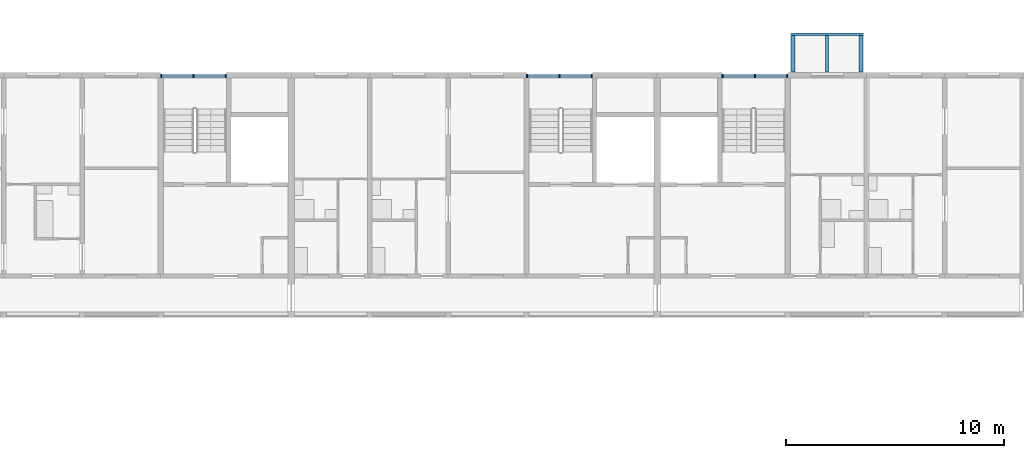
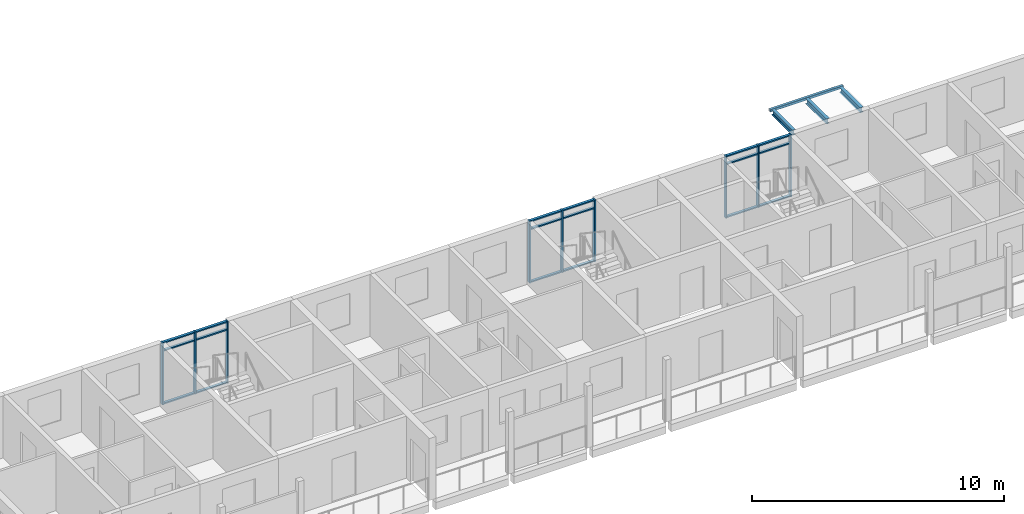
# One storey, part 21 of 98: 27 members, 4 beams, 3 elements without a shape of their own.
"""IFC4 building model written with IfcOpenShell, lengths in metres."""

from ifc_helpers import new_model, si_unit, direction, frame, origin, origin_2d, place, context, subcontext, project, spatial, rectangle, hollow_rectangle, i_section, extrude, material, material_profile, profile_set, type_object, element, aggregate, save


model = new_model("IFC4")

# Units and contexts
model_context = context("Model", 3, precision=1e-05, world=origin(), true_north=direction((0.0, 1.0)))
body_context = subcontext(model_context, "Body", "Model", "MODEL_VIEW")
ifc_project = project(units=[si_unit("LENGTHUNIT", "METRE"), si_unit("AREAUNIT", "SQUARE_METRE"), si_unit("VOLUMEUNIT", "CUBIC_METRE"), si_unit("PLANEANGLEUNIT", "RADIAN"), si_unit("MASSUNIT", "GRAM", prefix="KILO")], contexts=[model_context])

# Site, building, storey
site_placement = place(None, origin())
site = spatial("IfcSite", under=ifc_project, at=site_placement, CompositionType="ELEMENT")
building_placement = place(site_placement, origin())
building = spatial("IfcBuilding", under=site, at=building_placement, Name="Ridgestep Commons", CompositionType="ELEMENT")
storey_placement = place(building_placement, frame((0.0, 0.0, 12.0)))
storey = spatial("IfcBuildingStorey", under=building, at=storey_placement, Name="L04", CompositionType="ELEMENT", Elevation=12.0)

# Curtain wall, members
ifc_material_1 = material(Name="Aluminium 6063-T6 and glass", Category="aluminium")
curtain_wall_type = type_object("IfcCurtainWallType", Name="Curtain wall stair strip", PredefinedType="NOTDEFINED", material=ifc_material_1)
curtain_wall_1_placement = place(storey_placement, origin())
curtain_wall_1 = element("IfcCurtainWall", 1, at=curtain_wall_1_placement, inside=storey, type_object=curtain_wall_type, Name="Curtain wall C1C level 04", PredefinedType="NOTDEFINED")
ifc_material_2 = material(Name="Aluminium 6063-T6", Category="aluminium")
ifc_material_profile_1 = material_profile(ifc_material_2, rectangle(XDim=0.159912109375, YDim=0.06005859375, at=origin_2d()), Name="Mullion 60 x 160")
ifc_profile_set_1 = profile_set([ifc_material_profile_1], Name="Aluminium 6063-T6")
member_type_1 = type_object("IfcMemberType", Name="Mullion 60 x 160", PredefinedType="MULLION", material=ifc_profile_set_1)
member_1_placement = place(storey_placement, frame((157.6298828125, 77.080078125, 0.0), z_axis=(0.0, 0.0, 1.0), x_axis=(0.0, 1.0, 0.0)))
member_1 = element("IfcMember", 2, at=member_1_placement, type_object=member_type_1, Name="CW1 mullion 1", PredefinedType="MULLION", context=body_context, shape_type="SweptSolid", body=[
    extrude(rectangle(XDim=0.159912109375, YDim=0.06005859375, at=origin_2d()), origin(), (0.0, 0.0, 1.0), 3.0),
])
member_2_placement = place(storey_placement, frame((159.112548828125, 77.080078125, 0.0), z_axis=(0.0, 0.0, 1.0), x_axis=(0.0, 1.0, 0.0)))
member_2 = element("IfcMember", 3, at=member_2_placement, type_object=member_type_1, Name="CW1 mullion 2", PredefinedType="MULLION", context=body_context, shape_type="SweptSolid", body=[
    extrude(rectangle(XDim=0.159912109375, YDim=0.06005859375, at=origin_2d()), origin(), (0.0, 0.0, 1.0), 3.0),
])
member_3_placement = place(storey_placement, frame((160.594970703125, 77.080078125, 0.0), z_axis=(0.0, 0.0, 1.0), x_axis=(0.0, 1.0, 0.0)))
member_3 = element("IfcMember", 4, at=member_3_placement, type_object=member_type_1, Name="CW1 mullion 3", PredefinedType="MULLION", context=body_context, shape_type="SweptSolid", body=[
    extrude(rectangle(XDim=0.159912109375, YDim=0.06005859375, at=origin_2d()), origin(), (0.0, 0.0, 1.0), 3.0),
])

curtain_wall_2_placement = place(storey_placement, origin())
curtain_wall_2 = element("IfcCurtainWall", 5, at=curtain_wall_2_placement, inside=storey, type_object=curtain_wall_type, Name="Curtain wall C2C level 04", PredefinedType="NOTDEFINED")
member_4_placement = place(storey_placement, frame((174.429931640625, 77.080078125, 0.0), z_axis=(0.0, 0.0, 1.0), x_axis=(0.0, 1.0, 0.0)))
member_4 = element("IfcMember", 6, at=member_4_placement, type_object=member_type_1, Name="CW1 mullion 1", PredefinedType="MULLION", context=body_context, shape_type="SweptSolid", body=[
    extrude(rectangle(XDim=0.159912109375, YDim=0.06005859375, at=origin_2d()), origin(), (0.0, 0.0, 1.0), 3.0),
])
member_5_placement = place(storey_placement, frame((175.91259765625, 77.080078125, 0.0), z_axis=(0.0, 0.0, 1.0), x_axis=(0.0, 1.0, 0.0)))
member_5 = element("IfcMember", 7, at=member_5_placement, type_object=member_type_1, Name="CW1 mullion 2", PredefinedType="MULLION", context=body_context, shape_type="SweptSolid", body=[
    extrude(rectangle(XDim=0.159912109375, YDim=0.06005859375, at=origin_2d()), origin(), (0.0, 0.0, 1.0), 3.0),
])
member_6_placement = place(storey_placement, frame((177.39501953125, 77.080078125, 0.0), z_axis=(0.0, 0.0, 1.0), x_axis=(0.0, 1.0, 0.0)))
member_6 = element("IfcMember", 8, at=member_6_placement, type_object=member_type_1, Name="CW1 mullion 3", PredefinedType="MULLION", context=body_context, shape_type="SweptSolid", body=[
    extrude(rectangle(XDim=0.159912109375, YDim=0.06005859375, at=origin_2d()), origin(), (0.0, 0.0, 1.0), 3.0),
])

curtain_wall_3_placement = place(storey_placement, origin())
curtain_wall_3 = element("IfcCurtainWall", 9, at=curtain_wall_3_placement, inside=storey, type_object=curtain_wall_type, Name="Curtain wall C3C level 04", PredefinedType="NOTDEFINED")
member_7_placement = place(storey_placement, frame((183.405029296875, 77.080078125, 0.0), z_axis=(0.0, 0.0, 1.0), x_axis=(0.0, 1.0, 0.0)))
member_7 = element("IfcMember", 10, at=member_7_placement, type_object=member_type_1, Name="CW1 mullion 1", PredefinedType="MULLION", context=body_context, shape_type="SweptSolid", body=[
    extrude(rectangle(XDim=0.159912109375, YDim=0.06005859375, at=origin_2d()), origin(), (0.0, 0.0, 1.0), 3.0),
])
member_8_placement = place(storey_placement, frame((184.887451171875, 77.080078125, 0.0), z_axis=(0.0, 0.0, 1.0), x_axis=(0.0, 1.0, 0.0)))
member_8 = element("IfcMember", 11, at=member_8_placement, type_object=member_type_1, Name="CW1 mullion 2", PredefinedType="MULLION", context=body_context, shape_type="SweptSolid", body=[
    extrude(rectangle(XDim=0.159912109375, YDim=0.06005859375, at=origin_2d()), origin(), (0.0, 0.0, 1.0), 3.0),
])
member_9_placement = place(storey_placement, frame((186.3701171875, 77.080078125, 0.0), z_axis=(0.0, 0.0, 1.0), x_axis=(0.0, 1.0, 0.0)))
member_9 = element("IfcMember", 12, at=member_9_placement, type_object=member_type_1, Name="CW1 mullion 3", PredefinedType="MULLION", context=body_context, shape_type="SweptSolid", body=[
    extrude(rectangle(XDim=0.159912109375, YDim=0.06005859375, at=origin_2d()), origin(), (0.0, 0.0, 1.0), 3.0),
])

# Member
ifc_material_3 = material(Name="Aluminium 6063-T6", Category="aluminium")
ifc_material_profile_2 = material_profile(ifc_material_3, rectangle(XDim=0.1201171875, YDim=0.06005859375, at=origin_2d()), Name="Transom 60 x 120")
ifc_profile_set_2 = profile_set([ifc_material_profile_2], Name="Aluminium 6063-T6")
member_type_2 = type_object("IfcMemberType", Name="Transom 60 x 120", PredefinedType="USERDEFINED", material=ifc_profile_set_2)
member_10_placement = place(storey_placement, frame((157.659912109375, 77.080078125, 0.030029296875), z_axis=(1.0, 0.0, 0.0), x_axis=(0.0, 1.0, 0.0)))
member_10 = element("IfcMember", 13, at=member_10_placement, type_object=member_type_2, Name="CW1 transom 1.1", ObjectType="TRANSOM", PredefinedType="USERDEFINED", context=body_context, shape_type="SweptSolid", body=[
    extrude(rectangle(XDim=0.1201171875, YDim=0.06005859375, at=origin_2d()), origin(), (0.0, 0.0, 1.0), 1.422607421875),
])

member_11_placement = place(storey_placement, frame((157.659912109375, 77.080078125, 2.590087890625), z_axis=(1.0, 0.0, 0.0), x_axis=(0.0, 1.0, 0.0)))
member_11 = element("IfcMember", 14, at=member_11_placement, type_object=member_type_2, Name="CW1 transom 1.2", ObjectType="TRANSOM", PredefinedType="USERDEFINED", context=body_context, shape_type="SweptSolid", body=[
    extrude(rectangle(XDim=0.1201171875, YDim=0.06005859375, at=origin_2d()), origin(), (0.0, 0.0, 1.0), 1.422607421875),
])

member_12_placement = place(storey_placement, frame((157.659912109375, 77.080078125, 2.969970703125), z_axis=(1.0, 0.0, 0.0), x_axis=(0.0, 1.0, 0.0)))
member_12 = element("IfcMember", 15, at=member_12_placement, type_object=member_type_2, Name="CW1 transom 1.3", ObjectType="TRANSOM", PredefinedType="USERDEFINED", context=body_context, shape_type="SweptSolid", body=[
    extrude(rectangle(XDim=0.1201171875, YDim=0.06005859375, at=origin_2d()), origin(), (0.0, 0.0, 1.0), 1.422607421875),
])

member_13_placement = place(storey_placement, frame((159.142578125, 77.080078125, 0.030029296875), z_axis=(1.0, 0.0, 0.0), x_axis=(0.0, 1.0, 0.0)))
member_13 = element("IfcMember", 16, at=member_13_placement, type_object=member_type_2, Name="CW1 transom 2.1", ObjectType="TRANSOM", PredefinedType="USERDEFINED", context=body_context, shape_type="SweptSolid", body=[
    extrude(rectangle(XDim=0.1201171875, YDim=0.06005859375, at=origin_2d()), origin(), (0.0, 0.0, 1.0), 1.42236328125),
])

member_14_placement = place(storey_placement, frame((159.142578125, 77.080078125, 2.590087890625), z_axis=(1.0, 0.0, 0.0), x_axis=(0.0, 1.0, 0.0)))
member_14 = element("IfcMember", 17, at=member_14_placement, type_object=member_type_2, Name="CW1 transom 2.2", ObjectType="TRANSOM", PredefinedType="USERDEFINED", context=body_context, shape_type="SweptSolid", body=[
    extrude(rectangle(XDim=0.1201171875, YDim=0.06005859375, at=origin_2d()), origin(), (0.0, 0.0, 1.0), 1.42236328125),
])

member_15_placement = place(storey_placement, frame((159.142578125, 77.080078125, 2.969970703125), z_axis=(1.0, 0.0, 0.0), x_axis=(0.0, 1.0, 0.0)))
member_15 = element("IfcMember", 18, at=member_15_placement, type_object=member_type_2, Name="CW1 transom 2.3", ObjectType="TRANSOM", PredefinedType="USERDEFINED", context=body_context, shape_type="SweptSolid", body=[
    extrude(rectangle(XDim=0.1201171875, YDim=0.06005859375, at=origin_2d()), origin(), (0.0, 0.0, 1.0), 1.42236328125),
])

aggregate(curtain_wall_1, [member_1, member_2, member_3, member_10, member_11, member_12, member_13, member_14, member_15])

member_16_placement = place(storey_placement, frame((174.4599609375, 77.080078125, 0.030029296875), z_axis=(1.0, 0.0, 0.0), x_axis=(0.0, 1.0, 0.0)))
member_16 = element("IfcMember", 19, at=member_16_placement, type_object=member_type_2, Name="CW1 transom 1.1", ObjectType="TRANSOM", PredefinedType="USERDEFINED", context=body_context, shape_type="SweptSolid", body=[
    extrude(rectangle(XDim=0.1201171875, YDim=0.06005859375, at=origin_2d()), origin(), (0.0, 0.0, 1.0), 1.422607421875),
])

member_17_placement = place(storey_placement, frame((174.4599609375, 77.080078125, 2.590087890625), z_axis=(1.0, 0.0, 0.0), x_axis=(0.0, 1.0, 0.0)))
member_17 = element("IfcMember", 20, at=member_17_placement, type_object=member_type_2, Name="CW1 transom 1.2", ObjectType="TRANSOM", PredefinedType="USERDEFINED", context=body_context, shape_type="SweptSolid", body=[
    extrude(rectangle(XDim=0.1201171875, YDim=0.06005859375, at=origin_2d()), origin(), (0.0, 0.0, 1.0), 1.422607421875),
])

member_18_placement = place(storey_placement, frame((174.4599609375, 77.080078125, 2.969970703125), z_axis=(1.0, 0.0, 0.0), x_axis=(0.0, 1.0, 0.0)))
member_18 = element("IfcMember", 21, at=member_18_placement, type_object=member_type_2, Name="CW1 transom 1.3", ObjectType="TRANSOM", PredefinedType="USERDEFINED", context=body_context, shape_type="SweptSolid", body=[
    extrude(rectangle(XDim=0.1201171875, YDim=0.06005859375, at=origin_2d()), origin(), (0.0, 0.0, 1.0), 1.422607421875),
])

member_19_placement = place(storey_placement, frame((175.9423828125, 77.080078125, 0.030029296875), z_axis=(1.0, 0.0, 0.0), x_axis=(0.0, 1.0, 0.0)))
member_19 = element("IfcMember", 22, at=member_19_placement, type_object=member_type_2, Name="CW1 transom 2.1", ObjectType="TRANSOM", PredefinedType="USERDEFINED", context=body_context, shape_type="SweptSolid", body=[
    extrude(rectangle(XDim=0.1201171875, YDim=0.06005859375, at=origin_2d()), origin(), (0.0, 0.0, 1.0), 1.422607421875),
])

member_20_placement = place(storey_placement, frame((175.9423828125, 77.080078125, 2.590087890625), z_axis=(1.0, 0.0, 0.0), x_axis=(0.0, 1.0, 0.0)))
member_20 = element("IfcMember", 23, at=member_20_placement, type_object=member_type_2, Name="CW1 transom 2.2", ObjectType="TRANSOM", PredefinedType="USERDEFINED", context=body_context, shape_type="SweptSolid", body=[
    extrude(rectangle(XDim=0.1201171875, YDim=0.06005859375, at=origin_2d()), origin(), (0.0, 0.0, 1.0), 1.422607421875),
])

member_21_placement = place(storey_placement, frame((175.9423828125, 77.080078125, 2.969970703125), z_axis=(1.0, 0.0, 0.0), x_axis=(0.0, 1.0, 0.0)))
member_21 = element("IfcMember", 24, at=member_21_placement, type_object=member_type_2, Name="CW1 transom 2.3", ObjectType="TRANSOM", PredefinedType="USERDEFINED", context=body_context, shape_type="SweptSolid", body=[
    extrude(rectangle(XDim=0.1201171875, YDim=0.06005859375, at=origin_2d()), origin(), (0.0, 0.0, 1.0), 1.422607421875),
])

aggregate(curtain_wall_2, [member_4, member_5, member_6, member_16, member_17, member_18, member_19, member_20, member_21])

member_22_placement = place(storey_placement, frame((183.43505859375, 77.080078125, 0.030029296875), z_axis=(1.0, 0.0, 0.0), x_axis=(0.0, 1.0, 0.0)))
member_22 = element("IfcMember", 25, at=member_22_placement, type_object=member_type_2, Name="CW1 transom 1.1", ObjectType="TRANSOM", PredefinedType="USERDEFINED", context=body_context, shape_type="SweptSolid", body=[
    extrude(rectangle(XDim=0.1201171875, YDim=0.06005859375, at=origin_2d()), origin(), (0.0, 0.0, 1.0), 1.42236328125),
])

member_23_placement = place(storey_placement, frame((183.43505859375, 77.080078125, 2.590087890625), z_axis=(1.0, 0.0, 0.0), x_axis=(0.0, 1.0, 0.0)))
member_23 = element("IfcMember", 26, at=member_23_placement, type_object=member_type_2, Name="CW1 transom 1.2", ObjectType="TRANSOM", PredefinedType="USERDEFINED", context=body_context, shape_type="SweptSolid", body=[
    extrude(rectangle(XDim=0.1201171875, YDim=0.06005859375, at=origin_2d()), origin(), (0.0, 0.0, 1.0), 1.42236328125),
])

member_24_placement = place(storey_placement, frame((183.43505859375, 77.080078125, 2.969970703125), z_axis=(1.0, 0.0, 0.0), x_axis=(0.0, 1.0, 0.0)))
member_24 = element("IfcMember", 27, at=member_24_placement, type_object=member_type_2, Name="CW1 transom 1.3", ObjectType="TRANSOM", PredefinedType="USERDEFINED", context=body_context, shape_type="SweptSolid", body=[
    extrude(rectangle(XDim=0.1201171875, YDim=0.06005859375, at=origin_2d()), origin(), (0.0, 0.0, 1.0), 1.42236328125),
])

member_25_placement = place(storey_placement, frame((184.91748046875, 77.080078125, 0.030029296875), z_axis=(1.0, 0.0, 0.0), x_axis=(0.0, 1.0, 0.0)))
member_25 = element("IfcMember", 28, at=member_25_placement, type_object=member_type_2, Name="CW1 transom 2.1", ObjectType="TRANSOM", PredefinedType="USERDEFINED", context=body_context, shape_type="SweptSolid", body=[
    extrude(rectangle(XDim=0.1201171875, YDim=0.06005859375, at=origin_2d()), origin(), (0.0, 0.0, 1.0), 1.422607421875),
])

member_26_placement = place(storey_placement, frame((184.91748046875, 77.080078125, 2.590087890625), z_axis=(1.0, 0.0, 0.0), x_axis=(0.0, 1.0, 0.0)))
member_26 = element("IfcMember", 29, at=member_26_placement, type_object=member_type_2, Name="CW1 transom 2.2", ObjectType="TRANSOM", PredefinedType="USERDEFINED", context=body_context, shape_type="SweptSolid", body=[
    extrude(rectangle(XDim=0.1201171875, YDim=0.06005859375, at=origin_2d()), origin(), (0.0, 0.0, 1.0), 1.422607421875),
])

member_27_placement = place(storey_placement, frame((184.91748046875, 77.080078125, 2.969970703125), z_axis=(1.0, 0.0, 0.0), x_axis=(0.0, 1.0, 0.0)))
member_27 = element("IfcMember", 30, at=member_27_placement, type_object=member_type_2, Name="CW1 transom 2.3", ObjectType="TRANSOM", PredefinedType="USERDEFINED", context=body_context, shape_type="SweptSolid", body=[
    extrude(rectangle(XDim=0.1201171875, YDim=0.06005859375, at=origin_2d()), origin(), (0.0, 0.0, 1.0), 1.422607421875),
])

aggregate(curtain_wall_3, [member_7, member_8, member_9, member_22, member_23, member_24, member_25, member_26, member_27])

# Beams
ifc_material_4 = material(Name="Weathering steel S355J2W", Category="steel")
ifc_material_profile_3 = material_profile(ifc_material_4, i_section(OverallWidth=0.14599609375, OverallDepth=0.25146484375, WebThickness=0.006103515625, FlangeThickness=0.008544921875, FilletRadius=0.007568359375, at=origin_2d()), Name="UB 254x146x31")
ifc_profile_set_3 = profile_set([ifc_material_profile_3], Name="Weathering steel S355J2W")
beam_type_1 = type_object("IfcBeamType", Name="Tray arm UB 254x146x31", PredefinedType="BEAM", material=ifc_profile_set_3)
for number, where, z_axis, x_axis, name in (
    (31, (186.64990234375, 77.264892578125, 2.8642578125), (0.0, 1.0, 0.0), (-1.0, 0.0, 0.0), "Tray arm C3T3-05.1"),
    (32, (188.199951171875, 77.264892578125, 2.8642578125), (0.0, 1.0, 0.0), (-1.0, 0.0, 0.0), "Tray arm C3T3-05.2"),
    (33, (189.75, 77.264892578125, 2.8642578125), (0.0, 1.0, 0.0), (-1.0, 0.0, 0.0), "Tray arm C3T3-05.3"),
):
    element("IfcBeam", number, at=place(storey_placement, frame(where, z_axis=z_axis, x_axis=x_axis)), inside=storey, type_object=beam_type_1, Name=name, PredefinedType="BEAM", context=body_context, shape_type="SweptSolid", body=[
        extrude(i_section(OverallWidth=0.14599609375, OverallDepth=0.25146484375, WebThickness=0.006103515625, FlangeThickness=0.008544921875, FilletRadius=0.007568359375, at=origin_2d()), origin(), (0.0, 0.0, 1.0), 1.6650390625),
    ])
ifc_material_5 = material(Name="Weathering steel S355J2W", Category="steel")
ifc_material_profile_4 = material_profile(ifc_material_5, hollow_rectangle(XDim=0.1201171875, YDim=0.1201171875, WallThickness=0.00634765625, InnerFilletRadius=0.00634765625, OuterFilletRadius=0.009521484375, at=origin_2d()), Name="SHS 120x120x6.3")
ifc_profile_set_4 = profile_set([ifc_material_profile_4], Name="Weathering steel S355J2W")
beam_type_2 = type_object("IfcBeamType", Name="Tray edge member SHS 120x120x6.3", PredefinedType="BEAM", material=ifc_profile_set_4)
beam_placement = place(storey_placement, frame((186.530029296875, 78.989990234375, 2.929931640625), z_axis=(1.0, 0.0, 0.0), x_axis=(0.0, 0.0, 1.0)))
element("IfcBeam", 34, at=beam_placement, inside=storey, type_object=beam_type_2, Name="Tray edge member C3T3-05", PredefinedType="BEAM", context=body_context, shape_type="SweptSolid", body=[
    extrude(hollow_rectangle(XDim=0.1201171875, YDim=0.1201171875, WallThickness=0.00634765625, InnerFilletRadius=0.00634765625, OuterFilletRadius=0.009521484375, at=origin_2d()), origin(), (0.0, 0.0, 1.0), 3.340087890625),
])

save(model, "model.ifc")
